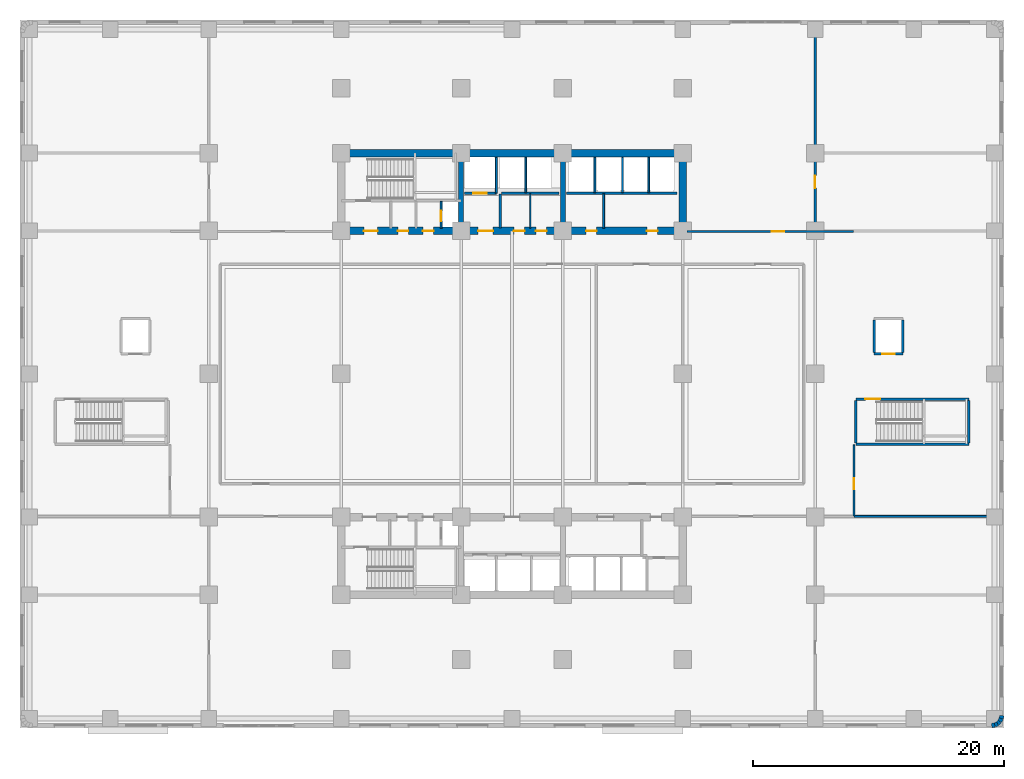
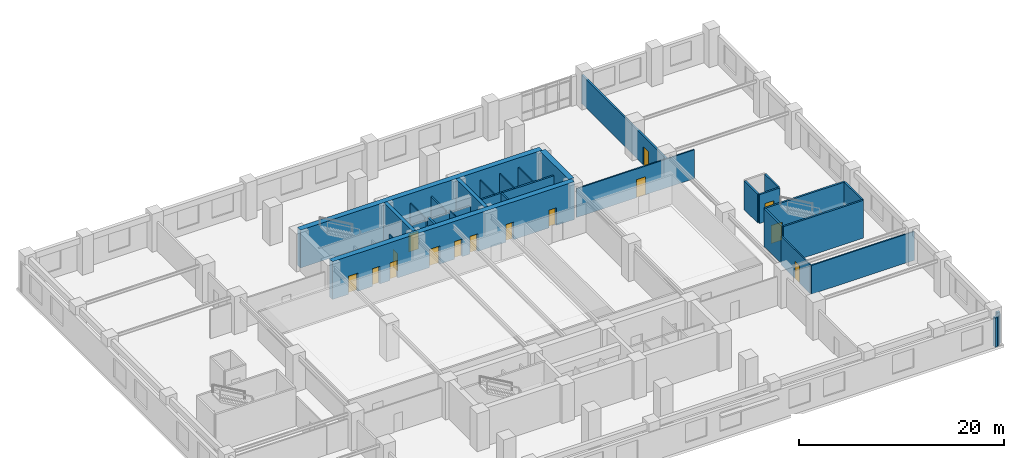
# One storey, part 9 of 14: 33 walls, 15 doors, 15 openings.
"""IFC4 building model written with IfcOpenShell, lengths in metres."""

from ifc_helpers import new_model, si_unit, direction, frame, frame_2d, origin, place, context, subcontext, project, spatial, rectangle, extrude, material, layer, layer_set, type_object, element, fill, save


model = new_model("IFC4")

# Units and contexts
model_context = context("Model", 3, precision=1e-05, world=origin(), true_north=direction((0.0, 1.0)))
body_context = subcontext(model_context, "Body", "Model", "MODEL_VIEW")
ifc_project = project(units=[si_unit("LENGTHUNIT", "METRE"), si_unit("AREAUNIT", "SQUARE_METRE"), si_unit("VOLUMEUNIT", "CUBIC_METRE"), si_unit("PLANEANGLEUNIT", "RADIAN"), si_unit("MASSUNIT", "GRAM", prefix="KILO")], contexts=[model_context])

# Site, building, storey
site_placement = place(None, origin())
site = spatial("IfcSite", under=ifc_project, at=site_placement, CompositionType="ELEMENT")
building_placement = place(site_placement, origin())
building = spatial("IfcBuilding", under=site, at=building_placement, Name="Svetorya Sky Lyceum", CompositionType="ELEMENT")
storey_placement = place(building_placement, frame((0.0, 0.0, 15.60009765625)))
storey = spatial("IfcBuildingStorey", under=building, at=storey_placement, Name="L03", CompositionType="ELEMENT", Elevation=15.60009765625)

# Walls
ifc_material_1 = material(Name="Concrete C40/50", Category="concrete")
ifc_layer_1 = layer(ifc_material_1, 0.39990234375)
ifc_layer_set_1 = layer_set([ifc_layer_1], Name="Concrete C40/50")
wall_type_1 = type_object("IfcWallType", Name="WL-CORE-400", PredefinedType="SHEAR", material=ifc_layer_set_1)
for number, where, z_axis, x_axis, name in (
    (1, (35.14990234375, 39.89990234375, 0.0), (0.0, 0.0, 1.0), (0.0, 1.0, 0.0), "L03 NC Internal Shear Web WEB1"),
    (2, (43.25, 39.89990234375, 0.0), (0.0, 0.0, 1.0), (0.0, 1.0, 0.0), "L03 NC Internal Shear Web WEB2"),
):
    element("IfcWall", number, at=place(storey_placement, frame(where, z_axis=z_axis, x_axis=x_axis)), inside=storey, type_object=wall_type_1, Name=name, PredefinedType="SHEAR", context=body_context, shape_type="SweptSolid", body=[
        extrude(rectangle(XDim=5.60009765625, YDim=0.39990234375, at=frame_2d((2.800048828125, 0.0))), origin(), (0.0, 0.0, 1.0), 4.5),
    ])
ifc_material_2 = material(Name="Concrete C60/75", Category="concrete")
ifc_layer_2 = layer(ifc_material_2, 0.60009765625)
ifc_layer_set_2 = layer_set([ifc_layer_2], Name="Concrete C60/75")
wall_type_2 = type_object("IfcWallType", Name="WL-CORE-600", PredefinedType="SHEAR", material=ifc_layer_set_2)
wall_1_placement = place(storey_placement, frame((25.60009765625, 45.800048828125, 0.0), z_axis=(0.0, 0.0, 1.0), x_axis=(1.0, 0.0, 0.0)))
element("IfcWall", 3, at=wall_1_placement, inside=storey, type_object=wall_type_2, Name="L03 NC Outer Core Shear Wall", PredefinedType="SHEAR", context=body_context, shape_type="SweptSolid", body=[
    extrude(rectangle(XDim=27.199951171875, YDim=0.60009765625, at=frame_2d((13.60009765625, 0.0))), origin(), (0.0, 0.0, 1.0), 4.5),
])
wall_2_placement = place(storey_placement, frame((52.800048828125, 39.89990234375, 0.0), z_axis=(0.0, 0.0, 1.0), x_axis=(0.0, 1.0, 0.0)))
element("IfcWall", 4, at=wall_2_placement, inside=storey, type_object=wall_type_2, Name="L03 NC East Core Shear Wall", PredefinedType="SHEAR", context=body_context, shape_type="SweptSolid", body=[
    extrude(rectangle(XDim=5.60009765625, YDim=0.60009765625, at=frame_2d((2.800048828125, 0.0))), origin(), (0.0, 0.0, 1.0), 4.5),
])

# Wall, openings, doors
wall_3_placement = place(storey_placement, frame((52.800048828125, 39.60009765625, 0.0), z_axis=(0.0, 0.0, 1.0), x_axis=(-1.0, 0.0, 0.0)))
wall_3 = element("IfcWall", 5, at=wall_3_placement, inside=storey, type_object=wall_type_2, Name="L03 NC Inner Core Shear Wall", PredefinedType="SHEAR", context=body_context, shape_type="SweptSolid", body=[
    extrude(rectangle(XDim=27.199951171875, YDim=0.60009765625, at=frame_2d((13.60009765625, 0.0))), origin(), (0.0, 0.0, 1.0), 4.5),
])
opening_1_placement = place(wall_3_placement, frame((24.300048828125, 0.0, 0.0)))
opening_1 = element("IfcOpeningElement", 6, at=opening_1_placement, cuts=wall_3, Name="Opening D-ST1", PredefinedType="OPENING", context=body_context, shape_type="SweptSolid", body=[
    extrude(rectangle(XDim=1.10009765625, YDim=2.14990234375, at=frame_2d((0.550048828125, 1.074951171875))), frame((0.0, 0.31005859375, 0.0), z_axis=(0.0, -1.0, 0.0), x_axis=(1.0, 0.0, 0.0)), (0.0, 0.0, 1.0), 0.6201171875),
])
opening_2_placement = place(wall_3_placement, frame((21.85009765625, 0.0, 0.0)))
opening_2 = element("IfcOpeningElement", 7, at=opening_2_placement, cuts=wall_3, Name="Opening D-CWC1", PredefinedType="OPENING", context=body_context, shape_type="SweptSolid", body=[
    extrude(rectangle(XDim=0.85009765625, YDim=2.10009765625, at=frame_2d((0.425048828125, 1.050048828125))), frame((0.0, 0.31005859375, 0.0), z_axis=(0.0, -1.0, 0.0), x_axis=(1.0, 0.0, 0.0)), (0.0, 0.0, 1.0), 0.6201171875),
])
opening_3_placement = place(wall_3_placement, frame((19.85009765625, 0.0, 0.0)))
opening_3 = element("IfcOpeningElement", 8, at=opening_3_placement, cuts=wall_3, Name="Opening D-CWC1", PredefinedType="OPENING", context=body_context, shape_type="SweptSolid", body=[
    extrude(rectangle(XDim=0.85009765625, YDim=2.10009765625, at=frame_2d((0.425048828125, 1.050048828125))), frame((0.0, 0.31005859375, 0.0), z_axis=(0.0, -1.0, 0.0), x_axis=(1.0, 0.0, 0.0)), (0.0, 0.0, 1.0), 0.6201171875),
])
opening_4_placement = place(wall_3_placement, frame((15.10009765625, 0.0, 0.0)))
opening_4 = element("IfcOpeningElement", 9, at=opening_4_placement, cuts=wall_3, Name="Opening D-FL1", PredefinedType="OPENING", context=body_context, shape_type="SweptSolid", body=[
    extrude(rectangle(XDim=1.199951171875, YDim=2.14990234375, at=frame_2d((0.60009765625, 1.074951171875))), frame((0.0, 0.31005859375, 0.0), z_axis=(0.0, -1.0, 0.0), x_axis=(1.0, 0.0, 0.0)), (0.0, 0.0, 1.0), 0.6201171875),
])
opening_5_placement = place(wall_3_placement, frame((12.60009765625, 0.0, 0.0)))
opening_5 = element("IfcOpeningElement", 10, at=opening_5_placement, cuts=wall_3, Name="Opening D-CWC1", PredefinedType="OPENING", context=body_context, shape_type="SweptSolid", body=[
    extrude(rectangle(XDim=0.85009765625, YDim=2.10009765625, at=frame_2d((0.425048828125, 1.050048828125))), frame((0.0, 0.31005859375, 0.0), z_axis=(0.0, -1.0, 0.0), x_axis=(1.0, 0.0, 0.0)), (0.0, 0.0, 1.0), 0.6201171875),
])
opening_6_placement = place(wall_3_placement, frame((10.85009765625, 0.0, 0.0)))
opening_6 = element("IfcOpeningElement", 11, at=opening_6_placement, cuts=wall_3, Name="Opening D-CWC1", PredefinedType="OPENING", context=body_context, shape_type="SweptSolid", body=[
    extrude(rectangle(XDim=0.85009765625, YDim=2.10009765625, at=frame_2d((0.425048828125, 1.050048828125))), frame((0.0, 0.31005859375, 0.0), z_axis=(0.0, -1.0, 0.0), x_axis=(1.0, 0.0, 0.0)), (0.0, 0.0, 1.0), 0.6201171875),
])
opening_7_placement = place(wall_3_placement, frame((6.85009765625, 0.0, 0.0)))
opening_7 = element("IfcOpeningElement", 12, at=opening_7_placement, cuts=wall_3, Name="Opening D-CWC1", PredefinedType="OPENING", context=body_context, shape_type="SweptSolid", body=[
    extrude(rectangle(XDim=0.85009765625, YDim=2.10009765625, at=frame_2d((0.425048828125, 1.050048828125))), frame((0.0, 0.31005859375, 0.0), z_axis=(0.0, -1.0, 0.0), x_axis=(1.0, 0.0, 0.0)), (0.0, 0.0, 1.0), 0.6201171875),
])
opening_8_placement = place(wall_3_placement, frame((2.0, 0.0, 0.0)))
opening_8 = element("IfcOpeningElement", 13, at=opening_8_placement, cuts=wall_3, Name="Opening D-CWC1", PredefinedType="OPENING", context=body_context, shape_type="SweptSolid", body=[
    extrude(rectangle(XDim=0.85009765625, YDim=2.10009765625, at=frame_2d((0.425048828125, 1.050048828125))), frame((0.0, 0.31005859375, 0.0), z_axis=(0.0, -1.0, 0.0), x_axis=(1.0, 0.0, 0.0)), (0.0, 0.0, 1.0), 0.6201171875),
])
ifc_material_3 = material(Name="Fire-rated galvanized steel core service closet door", Category="steel")
door_type_1 = type_object("IfcDoorType", Name="DR-CWET-850", OperationType="SINGLE_SWING_LEFT", PredefinedType="DOOR", material=ifc_material_3)
door_1_placement = place(opening_2_placement, origin())
door_1 = element("IfcDoor", 14, at=door_1_placement, inside=storey, type_object=door_type_1, Name="L03 North Cleaner Door", OperationType="SINGLE_SWING_RIGHT", OverallHeight=2.10009765625, OverallWidth=0.85009765625, PredefinedType="DOOR", context=body_context, shape_type="SweptSolid", body=[
    extrude(rectangle(XDim=0.85009765625, YDim=2.10009765625, at=frame_2d((0.425048828125, 1.050048828125))), frame((0.0, 0.02490234375, 0.0), z_axis=(0.0, -1.0, 0.0), x_axis=(1.0, 0.0, 0.0)), (0.0, 0.0, 1.0), 0.050048828125),
])
fill(opening_2, door_1)
door_2_placement = place(opening_3_placement, origin())
door_2 = element("IfcDoor", 15, at=door_2_placement, inside=storey, type_object=door_type_1, Name="L03 North Meter Door", OperationType="SINGLE_SWING_LEFT", OverallHeight=2.10009765625, OverallWidth=0.85009765625, PredefinedType="DOOR", context=body_context, shape_type="SweptSolid", body=[
    extrude(rectangle(XDim=0.85009765625, YDim=2.10009765625, at=frame_2d((0.425048828125, 1.050048828125))), frame((0.0, 0.02490234375, 0.0), z_axis=(0.0, -1.0, 0.0), x_axis=(1.0, 0.0, 0.0)), (0.0, 0.0, 1.0), 0.050048828125),
])
fill(opening_3, door_2)
door_3_placement = place(opening_5_placement, origin())
door_3 = element("IfcDoor", 16, at=door_3_placement, inside=storey, type_object=door_type_1, Name="L03 North BMS Door", OperationType="SINGLE_SWING_LEFT", OverallHeight=2.10009765625, OverallWidth=0.85009765625, PredefinedType="DOOR", context=body_context, shape_type="SweptSolid", body=[
    extrude(rectangle(XDim=0.85009765625, YDim=2.10009765625, at=frame_2d((0.425048828125, 1.050048828125))), frame((0.0, 0.02490234375, 0.0), z_axis=(0.0, -1.0, 0.0), x_axis=(1.0, 0.0, 0.0)), (0.0, 0.0, 1.0), 0.050048828125),
])
fill(opening_5, door_3)
door_4_placement = place(opening_6_placement, origin())
door_4 = element("IfcDoor", 17, at=door_4_placement, inside=storey, type_object=door_type_1, Name="L03 North Linen Door", OperationType="SINGLE_SWING_RIGHT", OverallHeight=2.10009765625, OverallWidth=0.85009765625, PredefinedType="DOOR", context=body_context, shape_type="SweptSolid", body=[
    extrude(rectangle(XDim=0.85009765625, YDim=2.10009765625, at=frame_2d((0.425048828125, 1.050048828125))), frame((0.0, 0.02490234375, 0.0), z_axis=(0.0, -1.0, 0.0), x_axis=(1.0, 0.0, 0.0)), (0.0, 0.0, 1.0), 0.050048828125),
])
fill(opening_6, door_4)
door_5_placement = place(opening_7_placement, origin())
door_5 = element("IfcDoor", 18, at=door_5_placement, inside=storey, type_object=door_type_1, Name="L03 North Electrical Door", OperationType="SINGLE_SWING_LEFT", OverallHeight=2.10009765625, OverallWidth=0.85009765625, PredefinedType="DOOR", context=body_context, shape_type="SweptSolid", body=[
    extrude(rectangle(XDim=0.85009765625, YDim=2.10009765625, at=frame_2d((0.425048828125, 1.050048828125))), frame((0.0, 0.02490234375, 0.0), z_axis=(0.0, -1.0, 0.0), x_axis=(1.0, 0.0, 0.0)), (0.0, 0.0, 1.0), 0.050048828125),
])
fill(opening_7, door_5)
door_6_placement = place(opening_8_placement, origin())
door_6 = element("IfcDoor", 19, at=door_6_placement, inside=storey, type_object=door_type_1, Name="L03 North Pram Door", OperationType="SINGLE_SWING_RIGHT", OverallHeight=2.10009765625, OverallWidth=0.85009765625, PredefinedType="DOOR", context=body_context, shape_type="SweptSolid", body=[
    extrude(rectangle(XDim=0.85009765625, YDim=2.10009765625, at=frame_2d((0.425048828125, 1.050048828125))), frame((0.0, 0.02490234375, 0.0), z_axis=(0.0, -1.0, 0.0), x_axis=(1.0, 0.0, 0.0)), (0.0, 0.0, 1.0), 0.050048828125),
])
fill(opening_8, door_6)
ifc_material_4 = material(Name="Powder-coated insulated galvanized stair fire door")
door_type_2 = type_object("IfcDoorType", Name="DR-FIRE-1100", OperationType="SINGLE_SWING_LEFT", PredefinedType="DOOR", material=ifc_material_4)
door_7_placement = place(opening_1_placement, origin())
door_7 = element("IfcDoor", 20, at=door_7_placement, inside=storey, type_object=door_type_2, Name="L03 North Stair Airlock Door", OperationType="SINGLE_SWING_LEFT", OverallHeight=2.14990234375, OverallWidth=1.10009765625, PredefinedType="DOOR", context=body_context, shape_type="SweptSolid", body=[
    extrude(rectangle(XDim=1.10009765625, YDim=2.14990234375, at=frame_2d((0.550048828125, 1.074951171875))), frame((0.0, 0.02490234375, 0.0), z_axis=(0.0, -1.0, 0.0), x_axis=(1.0, 0.0, 0.0)), (0.0, 0.0, 1.0), 0.050048828125),
])
fill(opening_1, door_7)
ifc_material_5 = material(Name="Powder-coated insulated galvanized fire door")
door_type_3 = type_object("IfcDoorType", Name="DR-FIRE-1200", OperationType="SINGLE_SWING_LEFT", PredefinedType="DOOR", material=ifc_material_5)
door_8_placement = place(opening_4_placement, origin())
door_8 = element("IfcDoor", 21, at=door_8_placement, inside=storey, type_object=door_type_3, Name="L03 North Firefighting Lift Lobby Door", OperationType="SINGLE_SWING_RIGHT", OverallHeight=2.14990234375, OverallWidth=1.199951171875, PredefinedType="DOOR", context=body_context, shape_type="SweptSolid", body=[
    extrude(rectangle(XDim=1.199951171875, YDim=2.14990234375, at=frame_2d((0.60009765625, 1.074951171875))), frame((0.0, 0.02490234375, 0.0), z_axis=(0.0, -1.0, 0.0), x_axis=(1.0, 0.0, 0.0)), (0.0, 0.0, 1.0), 0.050048828125),
])
fill(opening_4, door_8)

# Walls
ifc_material_6 = material(Name="Putilovo limestone rainscreen on autoclaved cellular masonry", Category="masonry")
ifc_layer_3 = layer(ifc_material_6, 0.360107421875)
ifc_layer_set_3 = layer_set([ifc_layer_3], Name="Putilovo limestone rainscreen on autoclaved cellular masonry")
wall_type_3 = type_object("IfcWallType", Name="WL-EXT-360", PredefinedType="SOLIDWALL", material=ifc_layer_set_3)
wall_4_placement = place(storey_placement, frame((77.419921875, 0.179931640625, 0.0), z_axis=(0.0, 0.0, 1.0), x_axis=(0.987604361038, 0.156963773077, 0.0)))
element("IfcWall", 22, at=wall_4_placement, inside=storey, type_object=wall_type_3, Name="L03 Limestone Exterior Wall 7M", PredefinedType="SOLIDWALL", context=body_context, shape_type="SweptSolid", body=[
    extrude(rectangle(XDim=0.25048828125, YDim=0.360107421875, at=frame_2d((0.125244140625, 0.0))), origin(), (0.0, 0.0, 1.0), 3.47998046875),
])
for number, where, z_axis, x_axis, name in (
    (23, (77.667236328125, 0.21923828125, 0.0), (0.0, 0.0, 1.0), (0.891084182005, 0.453838055457, 0.0), "L03 Limestone Exterior Wall 8M"),
    (24, (77.89013671875, 0.332763671875, 0.0), (0.0, 0.0, 1.0), (0.707106781187, 0.707106781187, 0.0), "L03 Limestone Exterior Wall 9M"),
):
    element("IfcWall", number, at=place(storey_placement, frame(where, z_axis=z_axis, x_axis=x_axis)), inside=storey, type_object=wall_type_3, Name=name, PredefinedType="SOLIDWALL", context=body_context, shape_type="SweptSolid", body=[
        extrude(rectangle(XDim=0.250244140625, YDim=0.360107421875, at=frame_2d((0.125, 0.0))), origin(), (0.0, 0.0, 1.0), 3.47998046875),
    ])
wall_5_placement = place(storey_placement, frame((78.067138671875, 0.509765625, 0.0), z_axis=(0.0, 0.0, 1.0), x_axis=(0.454217786225, 0.89089067942, 0.0)))
element("IfcWall", 25, at=wall_5_placement, inside=storey, type_object=wall_type_3, Name="L03 Limestone Exterior Wall 10M", PredefinedType="SOLIDWALL", context=body_context, shape_type="SweptSolid", body=[
    extrude(rectangle(XDim=0.25048828125, YDim=0.360107421875, at=frame_2d((0.125244140625, 0.0))), origin(), (0.0, 0.0, 1.0), 3.47998046875),
])
wall_6_placement = place(storey_placement, frame((78.180908203125, 0.73291015625, 0.0), z_axis=(0.0, 0.0, 1.0), x_axis=(0.156163049852, 0.987731290312, 0.0)))
element("IfcWall", 26, at=wall_6_placement, inside=storey, type_object=wall_type_3, Name="L03 Limestone Exterior Wall 11M", PredefinedType="SOLIDWALL", context=body_context, shape_type="SweptSolid", body=[
    extrude(rectangle(XDim=0.250244140625, YDim=0.360107421875, at=frame_2d((0.125, 0.0))), origin(), (0.0, 0.0, 1.0), 3.47998046875),
])
ifc_material_7 = material(Name="Galvanized stud partition with moisture-resistant board", Category="gypsum")
ifc_layer_4 = layer(ifc_material_7, 0.10009765625)
ifc_layer_set_4 = layer_set([ifc_layer_4], Name="Galvanized stud partition with moisture-resistant board")
wall_type_4 = type_object("IfcWallType", Name="WL-PART-100", PredefinedType="PARTITIONING", material=ifc_layer_set_4)
wall_7_placement = place(storey_placement, frame((40.64990234375, 39.820068359375, 0.0), z_axis=(0.0, 0.0, 1.0), x_axis=(0.0, 1.0, 0.0)))
element("IfcWall", 27, at=wall_7_placement, inside=storey, type_object=wall_type_4, Name="L03 Interior Partition NC-Z1D", PredefinedType="PARTITIONING", context=body_context, shape_type="SweptSolid", body=[
    extrude(rectangle(XDim=2.72998046875, YDim=0.10009765625, at=frame_2d((1.364990234375, 0.0))), origin(), (0.0, 0.0, 1.0), 3.419921875),
])

# Wall, opening, door
ifc_material_8 = material(Name="Autoclaved cellular masonry blockwork with acoustic render", Category="masonry")
ifc_layer_5 = layer(ifc_material_8, 0.14990234375)
ifc_layer_set_5 = layer_set([ifc_layer_5], Name="Autoclaved cellular masonry blockwork with acoustic render")
wall_type_5 = type_object("IfcWallType", Name="WL-PART-150", PredefinedType="PARTITIONING", material=ifc_layer_set_5)
wall_8_placement = place(storey_placement, frame((33.550048828125, 39.820068359375, 0.0), z_axis=(0.0, 0.0, 1.0), x_axis=(0.0, 1.0, 0.0)))
wall_8 = element("IfcWall", 28, at=wall_8_placement, inside=storey, type_object=wall_type_5, Name="L03 Interior Partition NC-RSRW", PredefinedType="PARTITIONING", context=body_context, shape_type="SweptSolid", body=[
    extrude(rectangle(XDim=2.1298828125, YDim=0.14990234375, at=frame_2d((1.06494140625, 0.0))), origin(), (0.0, 0.0, 1.0), 3.419921875),
])
opening_9_placement = place(wall_8_placement, frame((0.550048828125, 0.0, 0.0)))
opening_9 = element("IfcOpeningElement", 29, at=opening_9_placement, cuts=wall_8, Name="Opening D-SH1", PredefinedType="OPENING", context=body_context, shape_type="SweptSolid", body=[
    extrude(rectangle(XDim=0.85009765625, YDim=2.050048828125, at=frame_2d((0.425048828125, 1.02490234375))), frame((0.0, 0.0849609375, 0.0), z_axis=(0.0, -1.0, 0.0), x_axis=(1.0, 0.0, 0.0)), (0.0, 0.0, 1.0), 0.169921875),
])
ifc_material_9 = material(Name="Insulated galvanized riser inspection fire door")
door_type_4 = type_object("IfcDoorType", Name="DR-SHFT-850", OperationType="SINGLE_SWING_LEFT", PredefinedType="TRAPDOOR", material=ifc_material_9)
door_9_placement = place(opening_9_placement, origin())
door_9 = element("IfcDoor", 30, at=door_9_placement, inside=storey, type_object=door_type_4, Name="L03 North Riser Access Door", OperationType="SINGLE_SWING_LEFT", OverallHeight=2.050048828125, OverallWidth=0.85009765625, PredefinedType="TRAPDOOR", context=body_context, shape_type="SweptSolid", body=[
    extrude(rectangle(XDim=0.85009765625, YDim=2.050048828125, at=frame_2d((0.425048828125, 1.02490234375))), frame((0.0, 0.02490234375, 0.0), z_axis=(0.0, -1.0, 0.0), x_axis=(1.0, 0.0, 0.0)), (0.0, 0.0, 1.0), 0.050048828125),
])
fill(opening_9, door_9)

# Walls
wall_9_placement = place(storey_placement, frame((37.949951171875, 42.60009765625, 0.0), z_axis=(0.0, 0.0, 1.0), x_axis=(0.0, 1.0, 0.0)))
element("IfcWall", 31, at=wall_9_placement, inside=storey, type_object=wall_type_5, Name="L03 Interior Partition NC-FL1SIDE", PredefinedType="PARTITIONING", context=body_context, shape_type="SweptSolid", body=[
    extrude(rectangle(XDim=2.849853515625, YDim=0.14990234375, at=frame_2d((1.4248046875, 0.0))), origin(), (0.0, 0.0, 1.0), 3.419921875),
])
for number, where, z_axis, x_axis, name in (
    (32, (40.300048828125, 42.64990234375, 0.0), (0.0, 0.0, 1.0), (0.0, 1.0, 0.0), "L03 Interior Partition NC-PM-D1"),
    (33, (45.800048828125, 42.64990234375, 0.0), (0.0, 0.0, 1.0), (0.0, 1.0, 0.0), "L03 Interior Partition NC-PM3-D"),
    (34, (48.0, 42.64990234375, 0.0), (0.0, 0.0, 1.0), (0.0, 1.0, 0.0), "L03 Interior Partition NC-PH-D1"),
    (35, (50.10009765625, 42.64990234375, 0.0), (0.0, 0.0, 1.0), (0.0, 1.0, 0.0), "L03 Interior Partition NC-PH-D2"),
):
    element("IfcWall", number, at=place(storey_placement, frame(where, z_axis=z_axis, x_axis=x_axis)), inside=storey, type_object=wall_type_5, Name=name, PredefinedType="PARTITIONING", context=body_context, shape_type="SweptSolid", body=[
        extrude(rectangle(XDim=2.800048828125, YDim=0.14990234375, at=frame_2d((1.39990234375, 0.0))), origin(), (0.0, 0.0, 1.0), 3.419921875),
    ])
wall_10_placement = place(storey_placement, frame((46.5, 39.820068359375, 0.0), z_axis=(0.0, 0.0, 1.0), x_axis=(0.0, 1.0, 0.0)))
element("IfcWall", 36, at=wall_10_placement, inside=storey, type_object=wall_type_5, Name="L03 Interior Partition NC-ED1", PredefinedType="PARTITIONING", context=body_context, shape_type="SweptSolid", body=[
    extrude(rectangle(XDim=2.72998046875, YDim=0.14990234375, at=frame_2d((1.364990234375, 0.0))), origin(), (0.0, 0.0, 1.0), 3.419921875),
])

# Wall, opening, door
wall_11_placement = place(storey_placement, frame((66.449951171875, 16.89990234375, 0.0), z_axis=(0.0, 0.0, 1.0), x_axis=(0.0, 1.0, 0.0)))
wall_11 = element("IfcWall", 37, at=wall_11_placement, inside=storey, type_object=wall_type_5, Name="L03 Interior Partition STFE-W", PredefinedType="PARTITIONING", context=body_context, shape_type="SweptSolid", body=[
    extrude(rectangle(XDim=5.650146484375, YDim=0.14990234375, at=frame_2d((2.8251953125, 0.0))), origin(), (0.0, 0.0, 1.0), 3.419921875),
])
opening_10_placement = place(wall_11_placement, frame((2.10009765625, 0.0, 0.0)))
opening_10 = element("IfcOpeningElement", 38, at=opening_10_placement, cuts=wall_11, Name="Opening D-RM1", PredefinedType="OPENING", context=body_context, shape_type="SweptSolid", body=[
    extrude(rectangle(XDim=0.89990234375, YDim=2.10009765625, at=frame_2d((0.449951171875, 1.050048828125))), frame((0.0, 0.0849609375, 0.0), z_axis=(0.0, -1.0, 0.0), x_axis=(1.0, 0.0, 0.0)), (0.0, 0.0, 1.0), 0.169921875),
])
ifc_material_10 = material(Name="Lacquered birch veneer internal door")
door_type_5 = type_object("IfcDoorType", Name="DR-INT-900", OperationType="SINGLE_SWING_LEFT", PredefinedType="DOOR", material=ifc_material_10)
door_10_placement = place(opening_10_placement, origin())
door_10 = element("IfcDoor", 39, at=door_10_placement, inside=storey, type_object=door_type_5, Name="L03 Staff Workroom Door", OperationType="SINGLE_SWING_RIGHT", OverallHeight=2.10009765625, OverallWidth=0.89990234375, PredefinedType="DOOR", context=body_context, shape_type="SweptSolid", body=[
    extrude(rectangle(XDim=0.89990234375, YDim=2.10009765625, at=frame_2d((0.449951171875, 1.050048828125))), frame((0.0, 0.02490234375, 0.0), z_axis=(0.0, -1.0, 0.0), x_axis=(1.0, 0.0, 0.0)), (0.0, 0.0, 1.0), 0.050048828125),
])
fill(opening_10, door_10)

# Wall
wall_12_placement = place(storey_placement, frame((66.449951171875, 16.85009765625, 0.0), z_axis=(0.0, 0.0, 1.0), x_axis=(1.0, 0.0, 0.0)))
element("IfcWall", 40, at=wall_12_placement, inside=storey, type_object=wall_type_5, Name="L03 Interior Partition CLSE2-N", PredefinedType="PARTITIONING", context=body_context, shape_type="SweptSolid", body=[
    extrude(rectangle(XDim=11.550048828125, YDim=0.14990234375, at=frame_2d((5.77490234375, 0.0))), origin(), (0.0, 0.0, 1.0), 3.419921875),
])

# Wall, opening, door
wall_13_placement = place(storey_placement, frame((66.39990234375, 39.550048828125, 0.0), z_axis=(0.0, 0.0, 1.0), x_axis=(-1.0, 0.0, 0.0)))
wall_13 = element("IfcWall", 41, at=wall_13_placement, inside=storey, type_object=wall_type_5, Name="L03 Interior Partition NE-CORR", PredefinedType="PARTITIONING", context=body_context, shape_type="SweptSolid", body=[
    extrude(rectangle(XDim=13.25, YDim=0.14990234375, at=frame_2d((6.625, 0.0))), origin(), (0.0, 0.0, 1.0), 3.419921875),
])
opening_11_placement = place(wall_13_placement, frame((5.5, 0.0, 0.0)))
opening_11 = element("IfcOpeningElement", 42, at=opening_11_placement, cuts=wall_13, Name="Opening D-RM2", PredefinedType="OPENING", context=body_context, shape_type="SweptSolid", body=[
    extrude(rectangle(XDim=1.0, YDim=2.14990234375, at=frame_2d((0.5, 1.074951171875))), frame((0.0, 0.0849609375, 0.0), z_axis=(0.0, -1.0, 0.0), x_axis=(1.0, 0.0, 0.0)), (0.0, 0.0, 1.0), 0.169921875),
])
ifc_material_11 = material(Name="Solid-core oak acoustic room door")
door_type_6 = type_object("IfcDoorType", Name="DR-INT-1000", OperationType="SINGLE_SWING_LEFT", PredefinedType="DOOR", material=ifc_material_11)
door_11_placement = place(opening_11_placement, origin())
door_11 = element("IfcDoor", 43, at=door_11_placement, inside=storey, type_object=door_type_6, Name="L03 Classroom NE1 Door", OperationType="SINGLE_SWING_LEFT", OverallHeight=2.14990234375, OverallWidth=1.0, PredefinedType="DOOR", context=body_context, shape_type="SweptSolid", body=[
    extrude(rectangle(XDim=1.0, YDim=2.14990234375, at=frame_2d((0.5, 1.074951171875))), frame((0.0, 0.02490234375, 0.0), z_axis=(0.0, -1.0, 0.0), x_axis=(1.0, 0.0, 0.0)), (0.0, 0.0, 1.0), 0.050048828125),
])
fill(opening_11, door_11)

ifc_material_12 = material(Name="Autoclaved cellular masonry blockwork with gypsum plaster", Category="masonry")
ifc_layer_6 = layer(ifc_material_12, 0.199951171875)
ifc_layer_set_6 = layer_set([ifc_layer_6], Name="Autoclaved cellular masonry blockwork with gypsum plaster")
wall_type_6 = type_object("IfcWallType", Name="WL-PART-200", PredefinedType="PARTITIONING", material=ifc_layer_set_6)
wall_14_placement = place(storey_placement, frame((37.949951171875, 42.60009765625, 0.0), z_axis=(0.0, 0.0, 1.0), x_axis=(-1.0, 0.0, 0.0)))
wall_14 = element("IfcWall", 44, at=wall_14_placement, inside=storey, type_object=wall_type_6, Name="L03 Interior Partition NC-FL1W", PredefinedType="PARTITIONING", context=body_context, shape_type="SweptSolid", body=[
    extrude(rectangle(XDim=2.550048828125, YDim=0.199951171875, at=frame_2d((1.27490234375, 0.0))), origin(), (0.0, 0.0, 1.0), 3.079833984375),
])
opening_12_placement = place(wall_14_placement, frame((0.75, 0.0, 0.0)))
opening_12 = element("IfcOpeningElement", 45, at=opening_12_placement, cuts=wall_14, Name="Opening LD-FL", PredefinedType="OPENING", context=body_context, shape_type="SweptSolid", body=[
    extrude(rectangle(XDim=1.10009765625, YDim=2.14990234375, at=frame_2d((0.550048828125, 1.074951171875))), frame((0.0, 0.10986328125, 0.0), z_axis=(0.0, -1.0, 0.0), x_axis=(1.0, 0.0, 0.0)), (0.0, 0.0, 1.0), 0.219970703125),
])
ifc_material_13 = material(Name="Fire-rated stainless AISI 304 firefighting lift landing door")
door_type_7 = type_object("IfcDoorType", Name="DR-LIFT-1100", OperationType="SLIDING_TO_LEFT", PredefinedType="DOOR", material=ifc_material_13)
door_12_placement = place(opening_12_placement, origin())
door_12 = element("IfcDoor", 46, at=door_12_placement, inside=storey, type_object=door_type_7, Name="L03 Firefighting Lift FL1 Landing Door", OperationType="SLIDING_TO_LEFT", OverallHeight=2.14990234375, OverallWidth=1.10009765625, PredefinedType="DOOR", context=body_context, shape_type="SweptSolid", body=[
    extrude(rectangle(XDim=1.10009765625, YDim=2.14990234375, at=frame_2d((0.550048828125, 1.074951171875))), frame((0.0, 0.02490234375, 0.0), z_axis=(0.0, -1.0, 0.0), x_axis=(1.0, 0.0, 0.0)), (0.0, 0.0, 1.0), 0.050048828125),
])
fill(opening_12, door_12)

# Walls
wall_15_placement = place(storey_placement, frame((38.280029296875, 39.820068359375, 0.0), z_axis=(0.0, 0.0, 1.0), x_axis=(0.0, 1.0, 0.0)))
element("IfcWall", 47, at=wall_15_placement, inside=storey, type_object=wall_type_6, Name="L03 Interior Partition NC-FFLDIV", PredefinedType="PARTITIONING", context=body_context, shape_type="SweptSolid", body=[
    extrude(rectangle(XDim=2.72998046875, YDim=0.199951171875, at=frame_2d((1.364990234375, 0.0))), origin(), (0.0, 0.0, 1.0), 3.419921875),
])
wall_16_placement = place(storey_placement, frame((42.949951171875, 42.60009765625, 0.0), z_axis=(0.0, 0.0, 1.0), x_axis=(-1.0, 0.0, 0.0)))
element("IfcWall", 48, at=wall_16_placement, inside=storey, type_object=wall_type_6, Name="L03 Interior Partition NC-PM12W", PredefinedType="PARTITIONING", context=body_context, shape_type="SweptSolid", body=[
    extrude(rectangle(XDim=4.599853515625, YDim=0.199951171875, at=frame_2d((2.2998046875, 0.0))), origin(), (0.0, 0.0, 1.0), 3.079833984375),
])
wall_17_placement = place(storey_placement, frame((52.35009765625, 42.60009765625, 0.0), z_axis=(0.0, 0.0, 1.0), x_axis=(-1.0, 0.0, 0.0)))
element("IfcWall", 49, at=wall_17_placement, inside=storey, type_object=wall_type_6, Name="L03 Interior Partition NC-PHEW", PredefinedType="PARTITIONING", context=body_context, shape_type="SweptSolid", body=[
    extrude(rectangle(XDim=8.800048828125, YDim=0.199951171875, at=frame_2d((4.39990234375, 0.0))), origin(), (0.0, 0.0, 1.0), 3.419921875),
])
for number, where, z_axis, x_axis, name in (
    (50, (68.050048828125, 29.89990234375, 0.0), (0.0, 0.0, 1.0), (0.0, 1.0, 0.0), "L03 Interior Partition SHL-W-SCHL2"),
    (51, (70.35009765625, 29.89990234375, 0.0), (0.0, 0.0, 1.0), (0.0, 1.0, 0.0), "L03 Interior Partition SHL-E-SCHL2"),
):
    element("IfcWall", number, at=place(storey_placement, frame(where, z_axis=z_axis, x_axis=x_axis)), inside=storey, type_object=wall_type_6, Name=name, PredefinedType="PARTITIONING", context=body_context, shape_type="SweptSolid", body=[
        extrude(rectangle(XDim=2.60009765625, YDim=0.199951171875, at=frame_2d((1.300048828125, 0.0))), origin(), (0.0, 0.0, 1.0), 3.419921875),
    ])

# Wall, opening, door
wall_18_placement = place(storey_placement, frame((68.050048828125, 29.800048828125, 0.0), z_axis=(0.0, 0.0, 1.0), x_axis=(1.0, 0.0, 0.0)))
wall_18 = element("IfcWall", 52, at=wall_18_placement, inside=storey, type_object=wall_type_6, Name="L03 Interior Partition SHL-S-SCHL2", PredefinedType="PARTITIONING", context=body_context, shape_type="SweptSolid", body=[
    extrude(rectangle(XDim=2.300048828125, YDim=0.199951171875, at=frame_2d((1.14990234375, 0.0))), origin(), (0.0, 0.0, 1.0), 3.419921875),
])
opening_13_placement = place(wall_18_placement, frame((0.64990234375, 0.0, 0.0)))
opening_13 = element("IfcOpeningElement", 53, at=opening_13_placement, cuts=wall_18, Name="Opening LD-P1", PredefinedType="OPENING", context=body_context, shape_type="SweptSolid", body=[
    extrude(rectangle(XDim=1.0, YDim=2.14990234375, at=frame_2d((0.5, 1.074951171875))), frame((0.0, 0.10986328125, 0.0), z_axis=(0.0, -1.0, 0.0), x_axis=(1.0, 0.0, 0.0)), (0.0, 0.0, 1.0), 0.219970703125),
])
ifc_material_14 = material(Name="Champagne-anodized stainless passenger lift landing door")
door_type_8 = type_object("IfcDoorType", Name="DR-LIFT-1000", OperationType="SLIDING_TO_LEFT", PredefinedType="DOOR", material=ifc_material_14)
door_13_placement = place(opening_13_placement, origin())
door_13 = element("IfcDoor", 54, at=door_13_placement, inside=storey, type_object=door_type_8, Name="L03 Lyceum Lift SCHL2 Landing Door", OperationType="SLIDING_TO_LEFT", OverallHeight=2.14990234375, OverallWidth=1.0, PredefinedType="DOOR", context=body_context, shape_type="SweptSolid", body=[
    extrude(rectangle(XDim=1.0, YDim=2.14990234375, at=frame_2d((0.5, 1.074951171875))), frame((0.0, 0.02490234375, 0.0), z_axis=(0.0, -1.0, 0.0), x_axis=(1.0, 0.0, 0.0)), (0.0, 0.0, 1.0), 0.050048828125),
])
fill(opening_13, door_13)

wall_19_placement = place(storey_placement, frame((63.35009765625, 39.60009765625, 0.0), z_axis=(0.0, 0.0, 1.0), x_axis=(0.0, 1.0, 0.0)))
wall_19 = element("IfcWall", 55, at=wall_19_placement, inside=storey, type_object=wall_type_6, Name="L03 Interior Partition NE-DIV", PredefinedType="PARTITIONING", context=body_context, shape_type="SweptSolid", body=[
    extrude(rectangle(XDim=16.39990234375, YDim=0.199951171875, at=frame_2d((8.199951171875, 0.0))), origin(), (0.0, 0.0, 1.0), 3.419921875),
])
opening_14_placement = place(wall_19_placement, frame((3.39990234375, 0.0, 0.0)))
opening_14 = element("IfcOpeningElement", 56, at=opening_14_placement, cuts=wall_19, Name="Opening D-RM2", PredefinedType="OPENING", context=body_context, shape_type="SweptSolid", body=[
    extrude(rectangle(XDim=1.0, YDim=2.14990234375, at=frame_2d((0.5, 1.074951171875))), frame((0.0, 0.10986328125, 0.0), z_axis=(0.0, -1.0, 0.0), x_axis=(1.0, 0.0, 0.0)), (0.0, 0.0, 1.0), 0.219970703125),
])
door_14_placement = place(opening_14_placement, origin())
door_14 = element("IfcDoor", 57, at=door_14_placement, inside=storey, type_object=door_type_6, Name="L03 Studio Lab Door", OperationType="SINGLE_SWING_RIGHT", OverallHeight=2.14990234375, OverallWidth=1.0, PredefinedType="DOOR", context=body_context, shape_type="SweptSolid", body=[
    extrude(rectangle(XDim=1.0, YDim=2.14990234375, at=frame_2d((0.5, 1.074951171875))), frame((0.0, 0.02490234375, 0.0), z_axis=(0.0, -1.0, 0.0), x_axis=(1.0, 0.0, 0.0)), (0.0, 0.0, 1.0), 0.050048828125),
])
fill(opening_14, door_14)

# Walls
ifc_material_15 = material(Name="Concrete C50/60", Category="concrete")
ifc_layer_7 = layer(ifc_material_15, 0.199951171875)
ifc_layer_set_7 = layer_set([ifc_layer_7], Name="Concrete C50/60")
wall_type_7 = type_object("IfcWallType", Name="WL-SHW-200", PredefinedType="SHEAR", material=ifc_layer_set_7)
wall_20_placement = place(storey_placement, frame((66.60009765625, 22.60009765625, 0.0), z_axis=(0.0, 0.0, 1.0), x_axis=(1.0, 0.0, 0.0)))
element("IfcWall", 58, at=wall_20_placement, inside=storey, type_object=wall_type_7, Name="L03 Structural Stair Shaft Wall SCHW-S-E", PredefinedType="SHEAR", context=body_context, shape_type="SweptSolid", body=[
    extrude(rectangle(XDim=9.0, YDim=0.199951171875, at=frame_2d((4.5, 0.0))), origin(), (0.0, 0.0, 1.0), 4.5),
])
for number, where, z_axis, x_axis, name in (
    (59, (66.60009765625, 22.699951171875, 0.0), (0.0, 0.0, 1.0), (0.0, 1.0, 0.0), "L03 Structural Stair Shaft Wall SCHW-W-E"),
    (60, (75.60009765625, 22.699951171875, 0.0), (0.0, 0.0, 1.0), (0.0, 1.0, 0.0), "L03 Structural Stair Shaft Wall SCHW-E-E"),
):
    element("IfcWall", number, at=place(storey_placement, frame(where, z_axis=z_axis, x_axis=x_axis)), inside=storey, type_object=wall_type_7, Name=name, PredefinedType="SHEAR", context=body_context, shape_type="SweptSolid", body=[
        extrude(rectangle(XDim=3.400146484375, YDim=0.199951171875, at=frame_2d((1.7001953125, 0.0))), origin(), (0.0, 0.0, 1.0), 4.5),
    ])

# Wall, opening, door
wall_21_placement = place(storey_placement, frame((75.60009765625, 26.199951171875, 0.0), z_axis=(0.0, 0.0, 1.0), x_axis=(-1.0, 0.0, 0.0)))
wall_21 = element("IfcWall", 61, at=wall_21_placement, inside=storey, type_object=wall_type_7, Name="L03 Structural Stair Shaft Wall SCHW-N-E", PredefinedType="SHEAR", context=body_context, shape_type="SweptSolid", body=[
    extrude(rectangle(XDim=9.0, YDim=0.199951171875, at=frame_2d((4.5, 0.0))), origin(), (0.0, 0.0, 1.0), 4.5),
])
opening_15_placement = place(wall_21_placement, frame((7.050048828125, 0.0, 0.0)))
opening_15 = element("IfcOpeningElement", 62, at=opening_15_placement, cuts=wall_21, Name="Opening D-FL1", PredefinedType="OPENING", context=body_context, shape_type="SweptSolid", body=[
    extrude(rectangle(XDim=1.199951171875, YDim=2.14990234375, at=frame_2d((0.60009765625, 1.074951171875))), frame((0.0, 0.10986328125, 0.0), z_axis=(0.0, -1.0, 0.0), x_axis=(1.0, 0.0, 0.0)), (0.0, 0.0, 1.0), 0.219970703125),
])
door_15_placement = place(opening_15_placement, origin())
door_15 = element("IfcDoor", 63, at=door_15_placement, inside=storey, type_object=door_type_3, Name="L03 Lyceum Stair E Fire Door", OperationType="SINGLE_SWING_RIGHT", OverallHeight=2.14990234375, OverallWidth=1.199951171875, PredefinedType="DOOR", context=body_context, shape_type="SweptSolid", body=[
    extrude(rectangle(XDim=1.199951171875, YDim=2.14990234375, at=frame_2d((0.60009765625, 1.074951171875))), frame((0.0, 0.02490234375, 0.0), z_axis=(0.0, -1.0, 0.0), x_axis=(1.0, 0.0, 0.0)), (0.0, 0.0, 1.0), 0.050048828125),
])
fill(opening_15, door_15)

save(model, "model.ifc")
